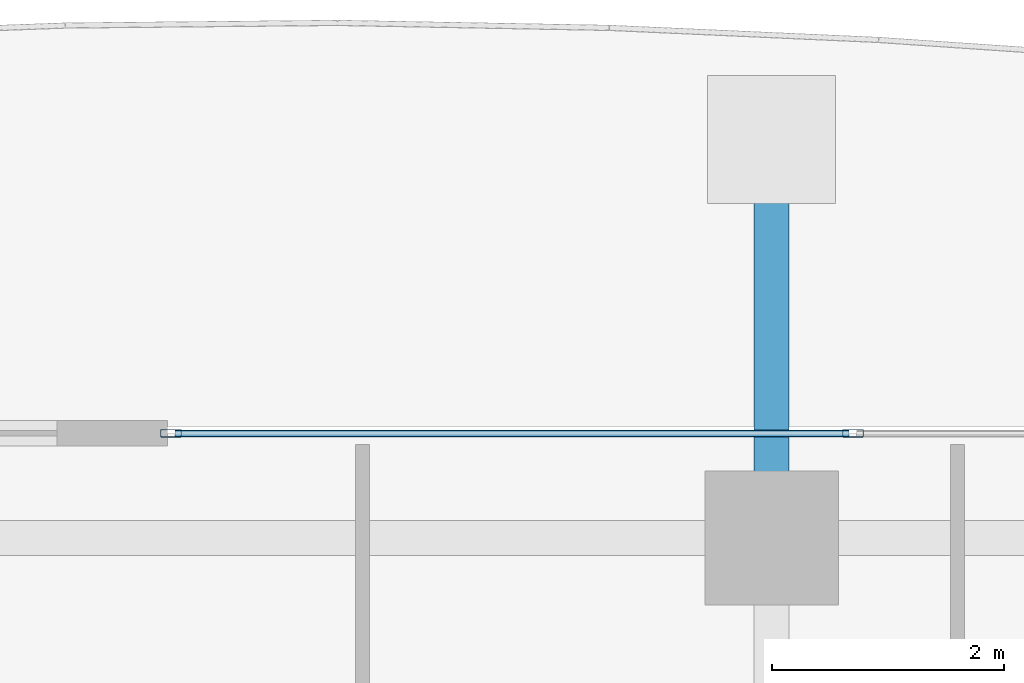
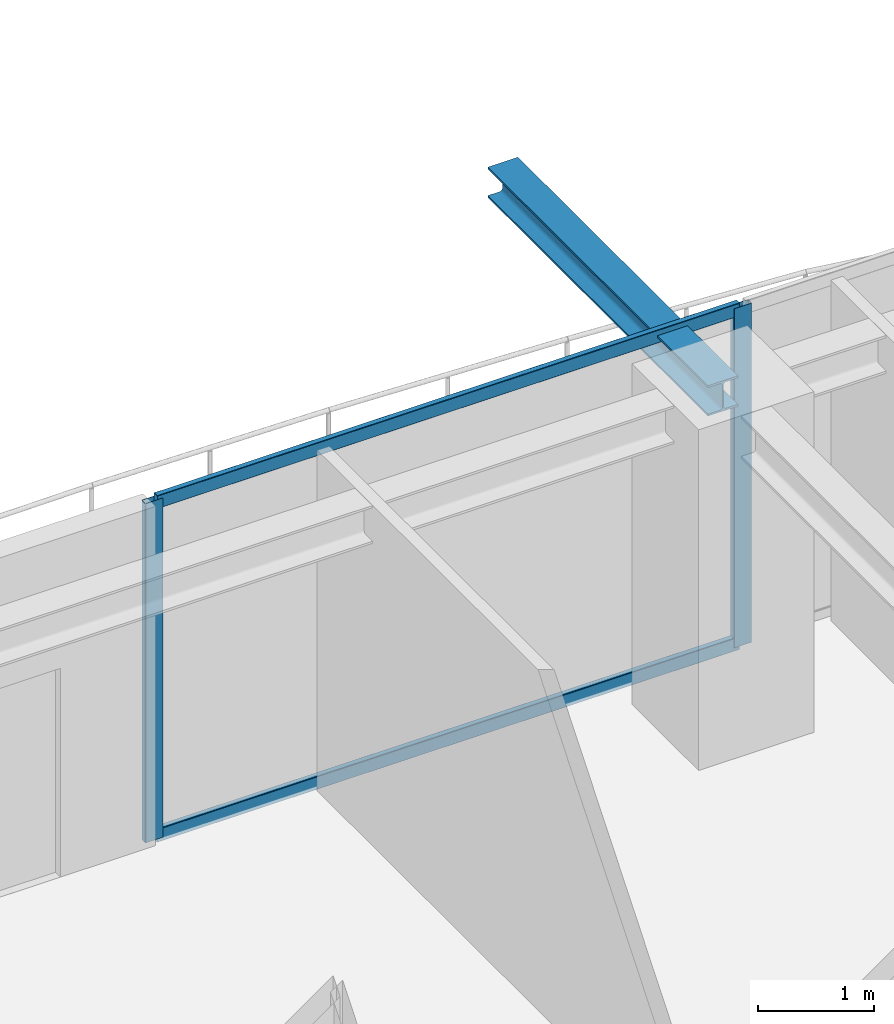
# One storey, part 21 of 37: 4 members, 1 beam, 1 element without a shape of its own.
"""IFC4 building model written with IfcOpenShell, lengths in metres."""

import ifcopenshell
import ifcopenshell.guid

model = None  # the IFC model being written
_history = None  # IfcOwnerHistory: only IFC2X3 demands one
_inside = {}  # id of a spatial element -> (the spatial element, [elements in it])
_under = {}  # id of a project, library or spatial element -> (it, [spatial elements below it])
_declared = {}  # id of a project -> (the project, [libraries it declares])
_typed = {}  # id of a type object -> (the type object, [elements of that type])
_made_of = {}  # id of a material, layer set ... -> (it, [elements and type objects made of it])


def new_model(schema):
    """Start an empty IFC model of exactly this schema.

    Asked for "IFC4X3", IfcOpenShell would pick the latest addendum, in which some entities
    have other attributes; the version numbers below select the first issue.
    IFC2X3 requires an IfcOwnerHistory on every rooted entity: one is made here for all.
    """
    global model, _history
    if schema == "IFC4X3":
        model = ifcopenshell.file(schema_version=(4, 3, 0, 0))
    else:
        model = ifcopenshell.file(schema=schema)
    _inside.clear()
    _under.clear()
    _declared.clear()
    _typed.clear()
    _made_of.clear()
    _history = None
    if model.schema == "IFC2X3":
        org = make("IfcOrganization", Name="unknown")
        user = make(
            "IfcPersonAndOrganization",
            ThePerson=make("IfcPerson", FamilyName="unknown"),
            TheOrganization=org,
        )
        app = make(
            "IfcApplication",
            ApplicationDeveloper=org,
            Version="unknown",
            ApplicationFullName="unknown",
            ApplicationIdentifier="unknown",
        )
        _history = make(
            "IfcOwnerHistory",
            OwningUser=user,
            OwningApplication=app,
            ChangeAction="ADDED",
            CreationDate=0,
        )
    return model


def make(cls, **values):
    """One entity of the class cls with the attributes given. An attribute that is None is left unset."""
    return model.create_entity(
        cls, **{name: value for name, value in values.items() if value is not None}
    )


def rooted(cls, **values):
    """An entity with a GlobalId (a new one), such as an element, a storey or a relation."""
    return make(cls, GlobalId=ifcopenshell.guid.new(), OwnerHistory=_history, **values)


def si_unit(unit_type, name, prefix=None):
    """IfcSIUnit, for example si_unit("LENGTHUNIT", "METRE", prefix="MILLI")."""
    return make("IfcSIUnit", UnitType=unit_type, Prefix=prefix, Name=name)


def assignment(units):
    """IfcUnitAssignment: the units of a project."""
    return None if units is None else make("IfcUnitAssignment", Units=units)


def point(xyz):
    """IfcCartesianPoint."""
    return None if xyz is None else make("IfcCartesianPoint", Coordinates=xyz)


def direction(xyz):
    """IfcDirection."""
    return None if xyz is None else make("IfcDirection", DirectionRatios=xyz)


def frame(location, z_axis=None, x_axis=None):
    """IfcAxis2Placement3D, a coordinate frame: its origin and axes. An axis left out is left unset."""
    return make(
        "IfcAxis2Placement3D",
        Location=point(location),
        Axis=direction(z_axis),
        RefDirection=direction(x_axis),
    )


def frame_2d(location, x_axis=None):
    """IfcAxis2Placement2D, a coordinate frame in the plane: its origin and x axis."""
    return make(
        "IfcAxis2Placement2D", Location=point(location), RefDirection=direction(x_axis)
    )


def origin():
    """The frame at (0, 0, 0) with its axes left unset."""
    return frame((0.0, 0.0, 0.0))


def origin_2d():
    """The frame at (0, 0) in the plane with its x axis left unset."""
    return frame_2d((0.0, 0.0))


def place(relative_to, where):
    """IfcLocalPlacement: puts the frame where relative to a parent placement (None: the world)."""
    return make(
        "IfcLocalPlacement", PlacementRelTo=relative_to, RelativePlacement=where
    )


def context(
    kind, dimensions, precision=None, world=None, true_north=None, identifier=None
):
    """IfcGeometricRepresentationContext, for example the 3D "Model" context."""
    return make(
        "IfcGeometricRepresentationContext",
        ContextIdentifier=identifier,
        ContextType=kind,
        CoordinateSpaceDimension=dimensions,
        Precision=precision,
        WorldCoordinateSystem=world,
        TrueNorth=true_north,
    )


def subcontext(parent, identifier, kind, view, scale=None):
    """IfcGeometricRepresentationSubContext, for example "Body" below "Model"."""
    return make(
        "IfcGeometricRepresentationSubContext",
        ContextIdentifier=identifier,
        ContextType=kind,
        ParentContext=parent,
        TargetScale=scale,
        TargetView=view,
    )


def project(units=None, contexts=None):
    """IfcProject with its units and contexts."""
    return rooted(
        "IfcProject",
        Name="project",
        RepresentationContexts=contexts,
        UnitsInContext=assignment(units),
    )


def spatial(cls, under=None, at=None, **own):
    """A site, building, storey or space (cls), placed at a placement, below another one or the project."""
    s = rooted(cls, ObjectPlacement=at, **own)
    if under is not None:
        _under.setdefault(under.id(), (under, []))[1].append(s)
    return s


def profile(cls, at=None, kind="AREA", **sizes):
    """A parametric profile (cls). Its sizes go by their IFC names, for example OverallWidth=200.0."""
    return make(cls, ProfileType=kind, Position=at, **sizes)


def hollow_rectangle(**sizes):
    """IfcRectangleHollowProfileDef."""
    return profile("IfcRectangleHollowProfileDef", **sizes)


def i_section(**sizes):
    """IfcIShapeProfileDef."""
    return profile("IfcIShapeProfileDef", **sizes)


def extrude(swept, where, along, depth):
    """IfcExtrudedAreaSolid: the profile swept, set in the frame where, extruded along a direction by depth."""
    return make(
        "IfcExtrudedAreaSolid",
        SweptArea=swept,
        Position=where,
        ExtrudedDirection=direction(along),
        Depth=depth,
    )


def shape(context_of_items, identifier, shape_type, items):
    """IfcShapeRepresentation: the items that make up one representation, for example the "Body"."""
    return make(
        "IfcShapeRepresentation",
        ContextOfItems=context_of_items,
        RepresentationIdentifier=identifier,
        RepresentationType=shape_type,
        Items=items,
    )


def source(mapping_origin, context_of_items, identifier, shape_type, items):
    """IfcRepresentationMap: a shape defined once, which mapped items show again and again."""
    return make(
        "IfcRepresentationMap",
        MappingOrigin=mapping_origin,
        MappedRepresentation=shape(context_of_items, identifier, shape_type, items),
    )


def transform(
    local_origin,
    x_axis=None,
    y_axis=None,
    z_axis=None,
    scale=None,
    scale2=None,
    scale3=None,
    uniform=True,
):
    """IfcCartesianTransformationOperator3D, or its non-uniform kind. x_axis, y_axis, z_axis: its Axis1, 2, 3."""
    if uniform:
        return make(
            "IfcCartesianTransformationOperator3D",
            Axis1=direction(x_axis),
            Axis2=direction(y_axis),
            LocalOrigin=point(local_origin),
            Scale=scale,
            Axis3=direction(z_axis),
        )
    return make(
        "IfcCartesianTransformationOperator3DnonUniform",
        Axis1=direction(x_axis),
        Axis2=direction(y_axis),
        LocalOrigin=point(local_origin),
        Scale=scale,
        Axis3=direction(z_axis),
        Scale2=scale2,
        Scale3=scale3,
    )


def mapped(mapping_source, mapping_target):
    """IfcMappedItem: shows the shape of a source again, moved by a transform."""
    return make(
        "IfcMappedItem", MappingSource=mapping_source, MappingTarget=mapping_target
    )


def material(Name=None, Category=None):
    """IfcMaterial."""
    return make("IfcMaterial", Name=Name, Category=Category)


def layer(
    of_material, thickness, ventilated=None, Name=None, Category=None, Priority=None
):
    """IfcMaterialLayer: one layer of a wall or slab, of a material (None: an air gap)."""
    return make(
        "IfcMaterialLayer",
        Material=of_material,
        LayerThickness=thickness,
        IsVentilated=ventilated,
        Name=Name,
        Category=Category,
        Priority=Priority,
    )


def layer_set(layers, Name=None):
    """IfcMaterialLayerSet."""
    return make("IfcMaterialLayerSet", MaterialLayers=layers, LayerSetName=Name)


def material_profile(
    of_material, cross_section, Name=None, Category=None, Priority=None
):
    """IfcMaterialProfile: a cross section and its material."""
    return make(
        "IfcMaterialProfile",
        Name=Name,
        Material=of_material,
        Profile=cross_section,
        Priority=Priority,
        Category=Category,
    )


def profile_set(profiles, Name=None, composite=None):
    """IfcMaterialProfileSet."""
    return make(
        "IfcMaterialProfileSet",
        Name=Name,
        MaterialProfiles=profiles,
        CompositeProfile=composite,
    )


def made_of(thing, what):
    """Note that an element or type object is made of a material, layer set ...; save() writes the relation."""
    if what is not None:
        _made_of.setdefault(what.id(), (what, []))[1].append(thing)
    return thing


def type_object(cls, material=None, **own):
    """A type object (cls), such as IfcWallType, which elements share."""
    return made_of(rooted(cls, **own), material)


def element(
    cls,
    number,
    at=None,
    inside=None,
    cuts=None,
    type_object=None,
    material=None,
    context=None,
    identifier="Body",
    shape_type=None,
    held_by="IfcProductDefinitionShape",
    body=None,
    shapes=None,
    **own,
):
    """One element of the class cls, such as IfcWall. Its Tag is "e" and its number.

    at: its placement. inside: the storey or other place that contains it. cuts: it is an
    opening in that element (IfcRelVoidsElement). A single representation is given by context,
    identifier, shape_type and body (its items); several are given by shapes. held_by: the class
    of the entity that holds the representations. save() writes the other relations.
    """
    e = rooted(cls, Tag="e%d" % number, ObjectPlacement=at, **own)
    if body is not None:
        shapes = [shape(context, identifier, shape_type, body)]
    if shapes is not None:
        e.Representation = make(held_by, Representations=shapes)
    if inside is not None:
        _inside.setdefault(inside.id(), (inside, []))[1].append(e)
    if cuts is not None:
        rooted(
            "IfcRelVoidsElement", RelatingBuildingElement=cuts, RelatedOpeningElement=e
        )
    if type_object is not None:
        _typed.setdefault(type_object.id(), (type_object, []))[1].append(e)
    return made_of(e, material)


def aggregate(whole, parts):
    """IfcRelAggregates: a whole, such as a stair, and the parts it consists of."""
    return rooted("IfcRelAggregates", RelatingObject=whole, RelatedObjects=parts)


def save(model, path):
    """Write the relations noted so far, then the file.

    IfcRelAggregates (storeys below a building ...), IfcRelContainedInSpatialStructure (elements
    in a storey), IfcRelDefinesByType, IfcRelAssociatesMaterial and IfcRelDeclares: one each for
    every whole, place, type object, material and project.
    """
    for whole, parts in _under.values():
        aggregate(whole, parts)
    for where, things in _inside.values():
        rooted(
            "IfcRelContainedInSpatialStructure",
            RelatedElements=things,
            RelatingStructure=where,
        )
    for kind, things in _typed.values():
        rooted("IfcRelDefinesByType", RelatedObjects=things, RelatingType=kind)
    for what, things in _made_of.values():
        rooted("IfcRelAssociatesMaterial", RelatedObjects=things, RelatingMaterial=what)
    for by, libraries in _declared.values():
        rooted("IfcRelDeclares", RelatingContext=by, RelatedDefinitions=libraries)
    model.write(path)


model = new_model("IFC4")

# Units and contexts
model_context = context("Model", 3, precision=1e-05, world=origin(), true_north=direction((0.0, 1.0)))
body_context = subcontext(model_context, "Body", "Model", "MODEL_VIEW")
ifc_project = project(units=[si_unit("LENGTHUNIT", "METRE"), si_unit("AREAUNIT", "SQUARE_METRE"), si_unit("VOLUMEUNIT", "CUBIC_METRE"), si_unit("PLANEANGLEUNIT", "RADIAN"), si_unit("MASSUNIT", "GRAM", prefix="KILO")], contexts=[model_context])

# Site, building, storey
site_placement = place(None, origin())
site = spatial("IfcSite", under=ifc_project, at=site_placement, CompositionType="ELEMENT")
building_placement = place(site_placement, origin())
building = spatial("IfcBuilding", under=site, at=building_placement, Name="Serunith Strait Residences", CompositionType="ELEMENT")
storey_placement = place(building_placement, frame((0.0, 0.0, 279.75)))
storey = spatial("IfcBuildingStorey", under=building, at=storey_placement, Name="L70", CompositionType="ELEMENT", Elevation=279.75)

# Beam
ifc_material_1 = material(Name="Steel S355J2", Category="steel")
ifc_material_profile_1 = material_profile(ifc_material_1, i_section(OverallWidth=0.300048828125, OverallDepth=0.320068359375, WebThickness=0.011474609375, FlangeThickness=0.0205078125, FilletRadius=0.027099609375, at=origin_2d()), Name="HEB 320")
ifc_profile_set_1 = profile_set([ifc_material_profile_1], Name="Steel S355J2")
beam_type = type_object("IfcBeamType", Name="BM-HEB320", PredefinedType="BEAM", material=ifc_profile_set_1)
shared_shape_1 = source(origin(), body_context, "Body", "SweptSolid", [
    extrude(i_section(OverallWidth=0.300048828125, OverallDepth=0.320068359375, WebThickness=0.011474609375, FlangeThickness=0.0205078125, FilletRadius=0.027099609375, at=origin_2d()), origin(), (0.0, 0.0, 1.0), 3.800048828125),
])
beam_placement = place(storey_placement, frame((36.89990234375, 48.300048828125, 3.39697265625), z_axis=(0.0, 1.0, 0.0), x_axis=(-1.0, 0.0, 0.0)))
element("IfcBeam", 1, at=beam_placement, inside=storey, type_object=beam_type, Name="L71 Cantilevered Balcony Rib TC-N3", PredefinedType="BEAM", context=body_context, shape_type="MappedRepresentation", body=[
    mapped(shared_shape_1, transform((0.0, 0.0, 0.0), scale=1.0)),
])

# Curtain wall, members
ifc_material_2 = material(Name="Pale-Champagne Anodised Aluminium", Category="aluminium")
ifc_layer = layer(ifc_material_2, 0.199951171875, Name="Pale-Champagne Anodised Aluminium")
ifc_layer_set = layer_set([ifc_layer], Name="Pale-Champagne Anodised Aluminium")
curtain_wall_type = type_object("IfcCurtainWallType", Name="CW-SYS4", PredefinedType="NOTDEFINED", material=ifc_layer_set)
curtain_wall_placement = place(storey_placement, origin())
curtain_wall = element("IfcCurtainWall", 2, at=curtain_wall_placement, inside=storey, type_object=curtain_wall_type, Name="L70 N Unitised Fritted Curtain Wall", PredefinedType="NOTDEFINED")
ifc_material_profile_2 = material_profile(ifc_material_2, hollow_rectangle(XDim=0.06494140625, YDim=0.179931640625, WallThickness=0.00341796875, InnerFilletRadius=0.00537109375, OuterFilletRadius=0.0087890625, at=origin_2d()), Name="ALU 180x65x3.5")
ifc_profile_set_2 = profile_set([ifc_material_profile_2], Name="Pale-Champagne Anodised Aluminium")
member_type_1 = type_object("IfcMemberType", Name="CW-SYS4-MULL", PredefinedType="MULLION", material=ifc_profile_set_2)
shared_shape_2 = source(origin(), body_context, "Body", "SweptSolid", [
    extrude(hollow_rectangle(XDim=0.06494140625, YDim=0.179931640625, WallThickness=0.00341796875, InnerFilletRadius=0.00537109375, OuterFilletRadius=0.0087890625, at=origin_2d()), origin(), (0.0, 0.0, 1.0), 3.574951171875),
])
member_1_placement = place(storey_placement, frame((37.60009765625, 49.199951171875, 0.0), z_axis=(0.0, 0.0, 1.0), x_axis=(0.0, -1.0, 0.0)))
member_1 = element("IfcMember", 3, at=member_1_placement, type_object=member_type_1, Name="CW-4 mullion 3", PredefinedType="MULLION", context=body_context, shape_type="MappedRepresentation", body=[
    mapped(shared_shape_2, transform((0.0, 0.0, 0.0), scale=1.0)),
])
member_2_placement = place(storey_placement, frame((31.732421875, 49.199951171875, 0.0), z_axis=(0.0, 0.0, 1.0), x_axis=(0.0, -1.0, 0.0)))
member_2 = element("IfcMember", 4, at=member_2_placement, type_object=member_type_1, Name="CW-4 mullion 4", PredefinedType="MULLION", context=body_context, shape_type="MappedRepresentation", body=[
    mapped(shared_shape_2, transform((0.0, 0.0, 0.0), scale=1.0)),
])
ifc_material_profile_3 = material_profile(ifc_material_2, hollow_rectangle(XDim=0.06005859375, YDim=0.139892578125, WallThickness=0.00341796875, InnerFilletRadius=0.00537109375, OuterFilletRadius=0.0087890625, at=origin_2d()), Name="ALU 140x60x3.5")
ifc_profile_set_3 = profile_set([ifc_material_profile_3], Name="Pale-Champagne Anodised Aluminium")
member_type_2 = type_object("IfcMemberType", Name="CW-SYS4-TRAN", PredefinedType="USERDEFINED", material=ifc_profile_set_3)
shared_shape_3 = source(origin(), body_context, "Body", "SweptSolid", [
    extrude(hollow_rectangle(XDim=0.06005859375, YDim=0.139892578125, WallThickness=0.00341796875, InnerFilletRadius=0.00537109375, OuterFilletRadius=0.0087890625, at=origin_2d()), origin(), (0.0, 0.0, 1.0), 5.802490234375),
])
member_3_placement = place(storey_placement, frame((37.5673828125, 49.199951171875, 0.030029296875), z_axis=(-1.0, 0.0, 0.0), x_axis=(0.0, -1.0, 0.0)))
member_3 = element("IfcMember", 5, at=member_3_placement, type_object=member_type_2, Name="CW-4 transom 3.1", ObjectType="TRANSOM", PredefinedType="USERDEFINED", context=body_context, shape_type="MappedRepresentation", body=[
    mapped(shared_shape_3, transform((0.0, 0.0, 0.0), scale=1.0)),
])
member_4_placement = place(storey_placement, frame((37.5673828125, 49.199951171875, 3.544921875), z_axis=(-1.0, 0.0, 0.0), x_axis=(0.0, -1.0, 0.0)))
member_4 = element("IfcMember", 6, at=member_4_placement, type_object=member_type_2, Name="CW-4 transom 3.2", ObjectType="TRANSOM", PredefinedType="USERDEFINED", context=body_context, shape_type="MappedRepresentation", body=[
    mapped(shared_shape_3, transform((0.0, 0.0, 0.0), scale=1.0)),
])
aggregate(curtain_wall, [member_1, member_2, member_3, member_4])

save(model, "model.ifc")
